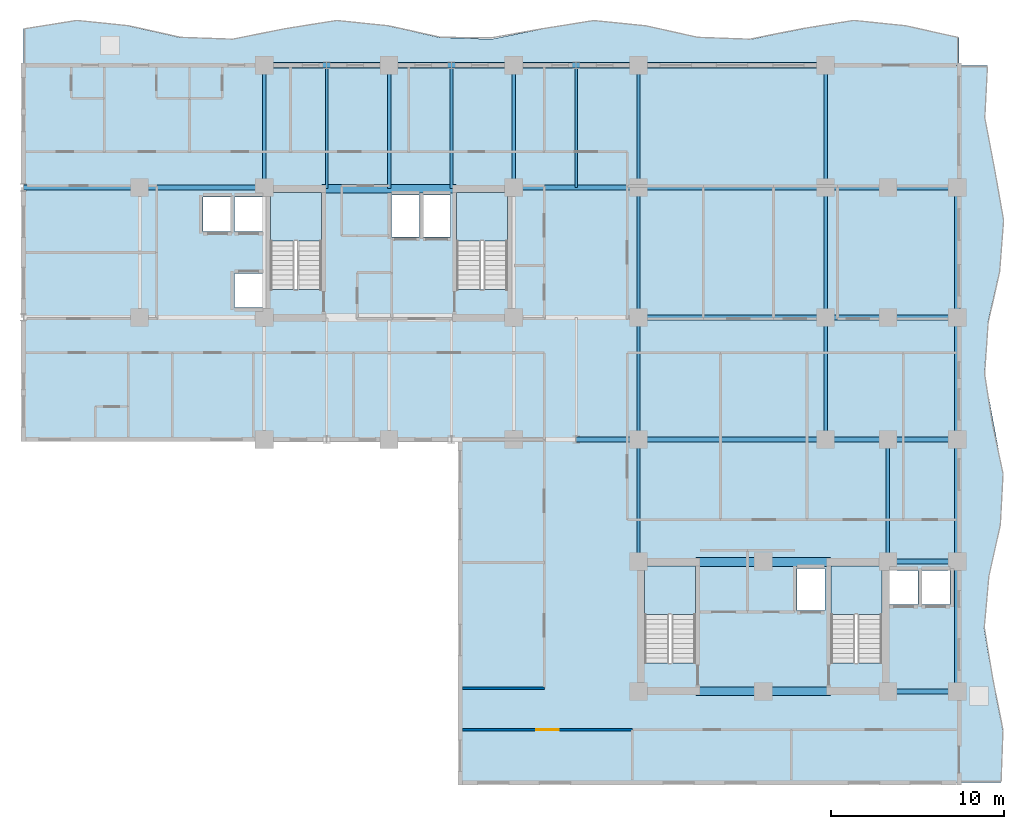
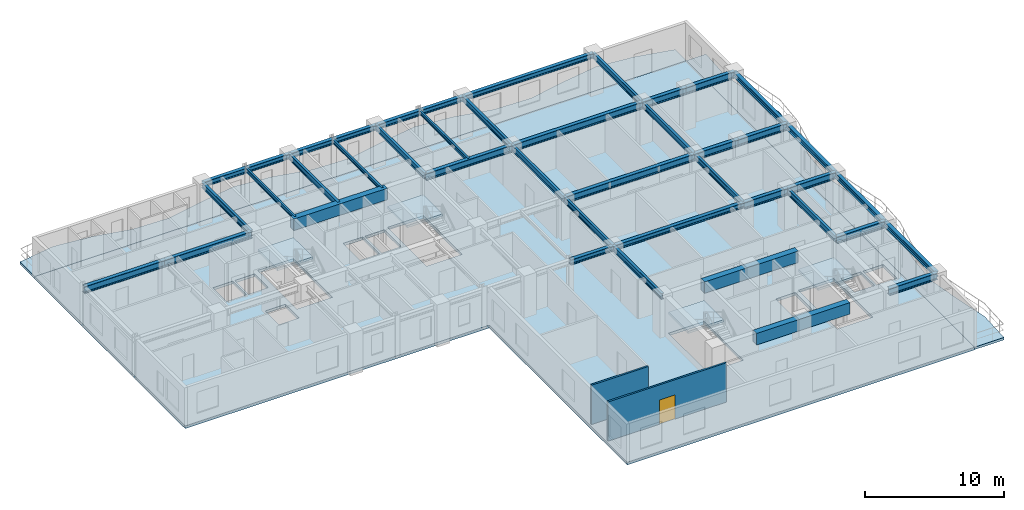
# One storey, part 3 of 13: 43 beams, 7 slabs, 2 walls, 1 door, 1 opening, 4 elements without a shape of their own.
"""IFC4 building model written with IfcOpenShell, lengths in metres."""

from ifc_helpers import new_model, si_unit, direction, frame, frame_2d, origin, origin_2d, place, context, subcontext, project, spatial, polyline, rectangle, i_section, outline, extrude, source, transform, mapped, material, layer, layer_set, material_profile, profile_set, type_object, element, fill, aggregate, save


model = new_model("IFC4")

# Units and contexts
model_context = context("Model", 3, precision=1e-05, world=origin(), true_north=direction((0.0, 1.0)))
body_context = subcontext(model_context, "Body", "Model", "MODEL_VIEW")
ifc_project = project(units=[si_unit("LENGTHUNIT", "METRE"), si_unit("AREAUNIT", "SQUARE_METRE"), si_unit("VOLUMEUNIT", "CUBIC_METRE"), si_unit("PLANEANGLEUNIT", "RADIAN"), si_unit("MASSUNIT", "GRAM", prefix="KILO")], contexts=[model_context])

# Site, building, storey
site_placement = place(None, origin())
site = spatial("IfcSite", under=ifc_project, at=site_placement, CompositionType="ELEMENT")
building_placement = place(site_placement, origin())
building = spatial("IfcBuilding", under=site, at=building_placement, Name="Kaliganga Portal Commons", CompositionType="ELEMENT")
storey_placement = place(building_placement, frame((0.0, 0.0, 162.39990234375)))
storey = spatial("IfcBuildingStorey", under=building, at=storey_placement, Name="L41", CompositionType="ELEMENT", Elevation=162.39990234375)

# Beams
ifc_material_1 = material(Name="Concrete C50/60", Category="concrete")
ifc_material_profile_1 = material_profile(ifc_material_1, rectangle(XDim=0.5, YDim=1.0, at=origin_2d()), Name="RC 500x1000")
ifc_profile_set_1 = profile_set([ifc_material_profile_1], Name="Concrete C50/60")
beam_type_1 = type_object("IfcBeamType", Name="BM-CPL-1000", PredefinedType="LINTEL", material=ifc_profile_set_1)
shared_shape_1 = source(origin(), body_context, "Body", "SweptSolid", [
    extrude(rectangle(XDim=0.5, YDim=1.0, at=origin_2d()), origin(), (0.0, 0.0, 1.0), 7.739990234375),
])
for number, where, z_axis, x_axis, name in (
    (1, (17.72998046875, 36.074951171875, 2.960205078125), (1.0, 0.0, 0.0), (0.0, 1.0, 0.0), "BM CPL COREA L41 N"),
    (2, (39.330078125, 7.074951171875, 2.960205078125), (1.0, 0.0, 0.0), (0.0, 1.0, 0.0), "BM CPL COREB L41 S"),
    (3, (39.330078125, 14.52490234375, 2.960205078125), (1.0, 0.0, 0.0), (0.0, 1.0, 0.0), "BM CPL COREB L41 N"),
):
    element("IfcBeam", number, at=place(storey_placement, frame(where, z_axis=z_axis, x_axis=x_axis)), inside=storey, type_object=beam_type_1, Name=name, PredefinedType="LINTEL", context=body_context, shape_type="MappedRepresentation", body=[
        mapped(shared_shape_1, transform((0.0, 0.0, 0.0), x_axis=(1.0, 0.0, 0.0), y_axis=(0.0, 1.0, 0.0), z_axis=(0.0, 0.0, 1.0), scale=1.0)),
    ])
ifc_material_2 = material(Name="Structural steel S355J2", Category="steel")
ifc_material_profile_2 = material_profile(ifc_material_2, i_section(OverallWidth=0.199951171875, OverallDepth=0.5, WebThickness=0.01025390625, FlangeThickness=0.01611328125, FilletRadius=0.02099609375, at=origin_2d()), Name="IPE 500")
ifc_profile_set_2 = profile_set([ifc_material_profile_2], Name="Structural steel S355J2 wide-flange")
beam_type_2 = type_object("IfcBeamType", Name="BM-FLR-500", PredefinedType="BEAM", material=ifc_profile_set_2)
shared_shape_2 = source(origin(), body_context, "Body", "SweptSolid", [
    extrude(i_section(OverallWidth=0.199951171875, OverallDepth=0.5, WebThickness=0.01025390625, FlangeThickness=0.01611328125, FilletRadius=0.02099609375, at=origin_2d()), origin(), (0.0, 0.0, 1.0), 7.5),
])
for number, where, z_axis, x_axis, name in (
    (4, (36.0, 28.64990234375, 3.210205078125), (0.0, 1.0, 0.0), (-1.0, 0.0, 0.0), "BM G L41 AM360"),
    (5, (46.800048828125, 28.64990234375, 3.210205078125), (0.0, 1.0, 0.0), (-1.0, 0.0, 0.0), "BM G L41 AM468"),
):
    element("IfcBeam", number, at=place(storey_placement, frame(where, z_axis=z_axis, x_axis=x_axis)), inside=storey, type_object=beam_type_2, Name=name, PredefinedType="BEAM", context=body_context, shape_type="MappedRepresentation", body=[
        mapped(shared_shape_2, transform((0.0, 0.0, 0.0), x_axis=(1.0, 0.0, 0.0), y_axis=(0.0, 1.0, 0.0), z_axis=(0.0, 0.0, 1.0), scale=1.0)),
    ])
shared_shape_3 = source(origin(), body_context, "Body", "SweptSolid", [
    extrude(i_section(OverallWidth=0.199951171875, OverallDepth=0.5, WebThickness=0.01025390625, FlangeThickness=0.01611328125, FilletRadius=0.02099609375, at=origin_2d()), origin(), (0.0, 0.0, 1.0), 7.050048828125),
])
for number, where, z_axis, x_axis, name in (
    (6, (14.39990234375, 36.14990234375, 3.210205078125), (0.0, 1.0, 0.0), (-1.0, 0.0, 0.0), "BM G L41 AN144"),
    (7, (28.800048828125, 36.14990234375, 3.210205078125), (0.0, 1.0, 0.0), (-1.0, 0.0, 0.0), "BM G L41 AN288"),
    (8, (36.0, 36.14990234375, 3.210205078125), (0.0, 1.0, 0.0), (-1.0, 0.0, 0.0), "BM G L41 AN360"),
    (9, (46.800048828125, 36.14990234375, 3.210205078125), (0.0, 1.0, 0.0), (-1.0, 0.0, 0.0), "BM G L41 AN468"),
    (10, (36.0, 14.550048828125, 3.210205078125), (0.0, 1.0, 0.0), (-1.0, 0.0, 0.0), "BM G L41 BNK360"),
    (11, (50.39990234375, 14.550048828125, 3.210205078125), (0.0, 1.0, 0.0), (-1.0, 0.0, 0.0), "BM G L41 BNK504"),
):
    element("IfcBeam", number, at=place(storey_placement, frame(where, z_axis=z_axis, x_axis=x_axis)), inside=storey, type_object=beam_type_2, Name=name, PredefinedType="BEAM", context=body_context, shape_type="MappedRepresentation", body=[
        mapped(shared_shape_3, transform((0.0, 0.0, 0.0), x_axis=(1.0, 0.0, 0.0), y_axis=(0.0, 1.0, 0.0), z_axis=(0.0, 0.0, 1.0), scale=1.0)),
    ])
shared_shape_4 = source(origin(), body_context, "Body", "SweptSolid", [
    extrude(i_section(OverallWidth=0.199951171875, OverallDepth=0.5, WebThickness=0.01025390625, FlangeThickness=0.01611328125, FilletRadius=0.02099609375, at=origin_2d()), origin(), (0.0, 0.0, 1.0), 7.0498046875),
])
for number, where, z_axis, x_axis, name in (
    (12, (36.0, 21.60009765625, 3.210205078125), (0.0, 1.0, 0.0), (-1.0, 0.0, 0.0), "BM G L41 AS360"),
    (13, (46.800048828125, 21.60009765625, 3.210205078125), (0.0, 1.0, 0.0), (-1.0, 0.0, 0.0), "BM G L41 AS468"),
):
    element("IfcBeam", number, at=place(storey_placement, frame(where, z_axis=z_axis, x_axis=x_axis)), inside=storey, type_object=beam_type_2, Name=name, PredefinedType="BEAM", context=body_context, shape_type="MappedRepresentation", body=[
        mapped(shared_shape_4, transform((0.0, 0.0, 0.0), x_axis=(1.0, 0.0, 0.0), y_axis=(0.0, 1.0, 0.0), z_axis=(0.0, 0.0, 1.0), scale=1.0)),
    ])
ifc_material_profile_3 = material_profile(ifc_material_2, i_section(OverallWidth=0.300048828125, OverallDepth=0.449951171875, WebThickness=0.013916015625, FlangeThickness=0.02587890625, FilletRadius=0.027099609375, at=origin_2d()), Name="HE 450 B")
ifc_profile_set_3 = profile_set([ifc_material_profile_3], Name="Structural steel S355J2 wide-flange")
beam_type_3 = type_object("IfcBeamType", Name="BM-SPAND-450", PredefinedType="SPANDREL", material=ifc_profile_set_3)
shared_shape_5 = source(origin(), body_context, "Body", "SweptSolid", [
    extrude(i_section(OverallWidth=0.300048828125, OverallDepth=0.449951171875, WebThickness=0.013916015625, FlangeThickness=0.02587890625, FilletRadius=0.027099609375, at=origin_2d()), origin(), (0.0, 0.0, 1.0), 3.60009765625),
])
for number, where, z_axis, x_axis, name in (
    (14, (14.39990234375, 43.199951171875, 3.235107421875), (1.0, 0.0, 0.0), (0.0, 1.0, 0.0), "BM SP L41 AN 1"),
    (15, (18.0, 43.199951171875, 3.235107421875), (1.0, 0.0, 0.0), (0.0, 1.0, 0.0), "BM SP L41 AN 2"),
    (16, (25.199951171875, 43.199951171875, 3.235107421875), (1.0, 0.0, 0.0), (0.0, 1.0, 0.0), "BM SP L41 AN 4"),
    (17, (32.39990234375, 43.199951171875, 3.235107421875), (1.0, 0.0, 0.0), (0.0, 1.0, 0.0), "BM SP L41 AN 6"),
    (18, (32.39990234375, 21.60009765625, 3.235107421875), (1.0, 0.0, 0.0), (0.0, 1.0, 0.0), "BM SP L41 AS 6"),
):
    element("IfcBeam", number, at=place(storey_placement, frame(where, z_axis=z_axis, x_axis=x_axis)), inside=storey, type_object=beam_type_3, Name=name, PredefinedType="SPANDREL", context=body_context, shape_type="MappedRepresentation", body=[
        mapped(shared_shape_5, transform((0.0, 0.0, 0.0), x_axis=(1.0, 0.0, 0.0), y_axis=(0.0, 1.0, 0.0), z_axis=(0.0, 0.0, 1.0), scale=1.0)),
    ])
shared_shape_6 = source(origin(), body_context, "Body", "SweptSolid", [
    extrude(i_section(OverallWidth=0.300048828125, OverallDepth=0.449951171875, WebThickness=0.013916015625, FlangeThickness=0.02587890625, FilletRadius=0.027099609375, at=origin_2d()), origin(), (0.0, 0.0, 1.0), 3.599853515625),
])
for number, where, z_axis, x_axis, name in (
    (19, (21.60009765625, 43.199951171875, 3.235107421875), (1.0, 0.0, 0.0), (0.0, 1.0, 0.0), "BM SP L41 AN 3"),
    (20, (28.800048828125, 43.199951171875, 3.235107421875), (1.0, 0.0, 0.0), (0.0, 1.0, 0.0), "BM SP L41 AN 5"),
):
    element("IfcBeam", number, at=place(storey_placement, frame(where, z_axis=z_axis, x_axis=x_axis)), inside=storey, type_object=beam_type_3, Name=name, PredefinedType="SPANDREL", context=body_context, shape_type="MappedRepresentation", body=[
        mapped(shared_shape_6, transform((0.0, 0.0, 0.0), x_axis=(1.0, 0.0, 0.0), y_axis=(0.0, 1.0, 0.0), z_axis=(0.0, 0.0, 1.0), scale=1.0)),
    ])
shared_shape_7 = source(origin(), body_context, "Body", "SweptSolid", [
    extrude(i_section(OverallWidth=0.300048828125, OverallDepth=0.449951171875, WebThickness=0.013916015625, FlangeThickness=0.02587890625, FilletRadius=0.027099609375, at=origin_2d()), origin(), (0.0, 0.0, 1.0), 10.800048828125),
])
for number, where, z_axis, x_axis, name in (
    (21, (36.0, 43.199951171875, 3.235107421875), (1.0, 0.0, 0.0), (0.0, 1.0, 0.0), "BM SP L41 AN 7"),
    (22, (36.0, 21.60009765625, 3.235107421875), (1.0, 0.0, 0.0), (0.0, 1.0, 0.0), "BM SP L41 AS 7"),
):
    element("IfcBeam", number, at=place(storey_placement, frame(where, z_axis=z_axis, x_axis=x_axis)), inside=storey, type_object=beam_type_3, Name=name, PredefinedType="SPANDREL", context=body_context, shape_type="MappedRepresentation", body=[
        mapped(shared_shape_7, transform((0.0, 0.0, 0.0), x_axis=(1.0, 0.0, 0.0), y_axis=(0.0, 1.0, 0.0), z_axis=(0.0, 0.0, 1.0), scale=1.0)),
    ])
ifc_material_profile_4 = material_profile(ifc_material_2, i_section(OverallWidth=0.159912109375, OverallDepth=0.330078125, WebThickness=0.007568359375, FlangeThickness=0.011474609375, FilletRadius=0.01806640625, at=origin_2d()), Name="IPE 330")
ifc_profile_set_4 = profile_set([ifc_material_profile_4], Name="Structural steel S355J2 wide-flange")
beam_type_4 = type_object("IfcBeamType", Name="BM-JST-330", PredefinedType="JOIST", material=ifc_profile_set_4)
shared_shape_8 = source(origin(), body_context, "Body", "SweptSolid", [
    extrude(i_section(OverallWidth=0.159912109375, OverallDepth=0.330078125, WebThickness=0.007568359375, FlangeThickness=0.011474609375, FilletRadius=0.01806640625, at=origin_2d()), origin(), (0.0, 0.0, 1.0), 7.050048828125),
])
beam_1_placement = place(storey_placement, frame((32.39990234375, 36.14990234375, 3.295166015625), z_axis=(0.0, 1.0, 0.0), x_axis=(-1.0, 0.0, 0.0)))
element("IfcBeam", 23, at=beam_1_placement, inside=storey, type_object=beam_type_4, Name="BM G L41 AN324", PredefinedType="JOIST", context=body_context, shape_type="MappedRepresentation", body=[
    mapped(shared_shape_8, transform((0.0, 0.0, 0.0), x_axis=(1.0, 0.0, 0.0), y_axis=(0.0, 1.0, 0.0), z_axis=(0.0, 0.0, 1.0), scale=1.0)),
])
shared_shape_9 = source(origin(), body_context, "Body", "SweptSolid", [
    extrude(i_section(OverallWidth=0.300048828125, OverallDepth=0.449951171875, WebThickness=0.013916015625, FlangeThickness=0.02587890625, FilletRadius=0.027099609375, at=origin_2d()), origin(), (0.0, 0.0, 1.0), 7.5),
])
for number, where, z_axis, x_axis, name in (
    (24, (54.39990234375, 7.050048828125, 3.235107421875), (0.0, 1.0, 0.0), (-1.0, 0.0, 0.0), "BM SP L41 BE 1"),
    (25, (54.39990234375, 28.64990234375, 3.235107421875), (0.0, 1.0, 0.0), (-1.0, 0.0, 0.0), "BM SP L41 BE 4"),
):
    element("IfcBeam", number, at=place(storey_placement, frame(where, z_axis=z_axis, x_axis=x_axis)), inside=storey, type_object=beam_type_3, Name=name, PredefinedType="SPANDREL", context=body_context, shape_type="MappedRepresentation", body=[
        mapped(shared_shape_9, transform((0.0, 0.0, 0.0), x_axis=(1.0, 0.0, 0.0), y_axis=(0.0, 1.0, 0.0), z_axis=(0.0, 0.0, 1.0), scale=1.0)),
    ])
shared_shape_10 = source(origin(), body_context, "Body", "SweptSolid", [
    extrude(i_section(OverallWidth=0.300048828125, OverallDepth=0.449951171875, WebThickness=0.013916015625, FlangeThickness=0.02587890625, FilletRadius=0.027099609375, at=origin_2d()), origin(), (0.0, 0.0, 1.0), 7.050048828125),
])
beam_2_placement = place(storey_placement, frame((54.39990234375, 14.550048828125, 3.235107421875), z_axis=(0.0, 1.0, 0.0), x_axis=(-1.0, 0.0, 0.0)))
element("IfcBeam", 26, at=beam_2_placement, inside=storey, type_object=beam_type_3, Name="BM SP L41 BE 2", PredefinedType="SPANDREL", context=body_context, shape_type="MappedRepresentation", body=[
    mapped(shared_shape_10, transform((0.0, 0.0, 0.0), x_axis=(1.0, 0.0, 0.0), y_axis=(0.0, 1.0, 0.0), z_axis=(0.0, 0.0, 1.0), scale=1.0)),
])
shared_shape_11 = source(origin(), body_context, "Body", "SweptSolid", [
    extrude(i_section(OverallWidth=0.300048828125, OverallDepth=0.449951171875, WebThickness=0.013916015625, FlangeThickness=0.02587890625, FilletRadius=0.027099609375, at=origin_2d()), origin(), (0.0, 0.0, 1.0), 7.0498046875),
])
beam_3_placement = place(storey_placement, frame((54.39990234375, 21.60009765625, 3.235107421875), z_axis=(0.0, 1.0, 0.0), x_axis=(-1.0, 0.0, 0.0)))
element("IfcBeam", 27, at=beam_3_placement, inside=storey, type_object=beam_type_3, Name="BM SP L41 BE 3", PredefinedType="SPANDREL", context=body_context, shape_type="MappedRepresentation", body=[
    mapped(shared_shape_11, transform((0.0, 0.0, 0.0), x_axis=(1.0, 0.0, 0.0), y_axis=(0.0, 1.0, 0.0), z_axis=(0.0, 0.0, 1.0), scale=1.0)),
])
ifc_material_profile_5 = material_profile(ifc_material_2, i_section(OverallWidth=0.300048828125, OverallDepth=0.60009765625, WebThickness=0.015380859375, FlangeThickness=0.030029296875, FilletRadius=0.027099609375, at=origin_2d()), Name="HE 600 B")
ifc_profile_set_5 = profile_set([ifc_material_profile_5], Name="Structural steel S355J2 wide-flange")
beam_type_5 = type_object("IfcBeamType", Name="BM-GIRD-600", PredefinedType="USERDEFINED", material=ifc_profile_set_5)
shared_shape_12 = source(origin(), body_context, "Body", "SweptSolid", [
    extrude(i_section(OverallWidth=0.300048828125, OverallDepth=0.60009765625, WebThickness=0.015380859375, FlangeThickness=0.030029296875, FilletRadius=0.027099609375, at=origin_2d()), origin(), (0.0, 0.0, 1.0), 6.699951171875),
])
beam_4_placement = place(storey_placement, frame((0.5, 36.14990234375, 3.16015625), z_axis=(1.0, 0.0, 0.0), x_axis=(0.0, 1.0, 0.0)))
element("IfcBeam", 28, at=beam_4_placement, inside=storey, type_object=beam_type_5, Name="BM G L41 WAH_N 1", ObjectType="GIRDER", PredefinedType="USERDEFINED", context=body_context, shape_type="MappedRepresentation", body=[
    mapped(shared_shape_12, transform((0.0, 0.0, 0.0), x_axis=(1.0, 0.0, 0.0), y_axis=(0.0, 1.0, 0.0), z_axis=(0.0, 0.0, 1.0), scale=1.0)),
])
shared_shape_13 = source(origin(), body_context, "Body", "SweptSolid", [
    extrude(i_section(OverallWidth=0.300048828125, OverallDepth=0.60009765625, WebThickness=0.015380859375, FlangeThickness=0.030029296875, FilletRadius=0.027099609375, at=origin_2d()), origin(), (0.0, 0.0, 1.0), 7.199951171875),
])
for number, where, z_axis, x_axis, name in (
    (29, (7.199951171875, 36.14990234375, 3.16015625), (1.0, 0.0, 0.0), (0.0, 1.0, 0.0), "BM G L41 WAH_N 2"),
    (30, (28.800048828125, 36.14990234375, 3.16015625), (1.0, 0.0, 0.0), (0.0, 1.0, 0.0), "BM G L41 WAE_N 1"),
):
    element("IfcBeam", number, at=place(storey_placement, frame(where, z_axis=z_axis, x_axis=x_axis)), inside=storey, type_object=beam_type_5, Name=name, ObjectType="GIRDER", PredefinedType="USERDEFINED", context=body_context, shape_type="MappedRepresentation", body=[
        mapped(shared_shape_13, transform((0.0, 0.0, 0.0), x_axis=(1.0, 0.0, 0.0), y_axis=(0.0, 1.0, 0.0), z_axis=(0.0, 0.0, 1.0), scale=1.0)),
    ])
shared_shape_14 = source(origin(), body_context, "Body", "SweptSolid", [
    extrude(i_section(OverallWidth=0.300048828125, OverallDepth=0.60009765625, WebThickness=0.015380859375, FlangeThickness=0.030029296875, FilletRadius=0.027099609375, at=origin_2d()), origin(), (0.0, 0.0, 1.0), 10.800048828125),
])
for number, where, z_axis, x_axis, name in (
    (31, (36.0, 28.64990234375, 3.16015625), (1.0, 0.0, 0.0), (0.0, 1.0, 0.0), "BM G L41 WAE_S 2"),
    (32, (36.0, 36.14990234375, 3.16015625), (1.0, 0.0, 0.0), (0.0, 1.0, 0.0), "BM G L41 WAE_N 2"),
):
    element("IfcBeam", number, at=place(storey_placement, frame(where, z_axis=z_axis, x_axis=x_axis)), inside=storey, type_object=beam_type_5, Name=name, ObjectType="GIRDER", PredefinedType="USERDEFINED", context=body_context, shape_type="MappedRepresentation", body=[
        mapped(shared_shape_14, transform((0.0, 0.0, 0.0), x_axis=(1.0, 0.0, 0.0), y_axis=(0.0, 1.0, 0.0), z_axis=(0.0, 0.0, 1.0), scale=1.0)),
    ])
shared_shape_15 = source(origin(), body_context, "Body", "SweptSolid", [
    extrude(i_section(OverallWidth=0.159912109375, OverallDepth=0.330078125, WebThickness=0.007568359375, FlangeThickness=0.011474609375, FilletRadius=0.01806640625, at=origin_2d()), origin(), (0.0, 0.0, 1.0), 7.125),
])
for number, where, z_axis, x_axis, name in (
    (33, (18.0, 36.074951171875, 3.295166015625), (0.0, 1.0, 0.0), (-1.0, 0.0, 0.0), "BM G L41 AN180"),
    (34, (25.199951171875, 36.074951171875, 3.295166015625), (0.0, 1.0, 0.0), (-1.0, 0.0, 0.0), "BM G L41 AN252"),
):
    element("IfcBeam", number, at=place(storey_placement, frame(where, z_axis=z_axis, x_axis=x_axis)), inside=storey, type_object=beam_type_4, Name=name, PredefinedType="JOIST", context=body_context, shape_type="MappedRepresentation", body=[
        mapped(shared_shape_15, transform((0.0, 0.0, 0.0), x_axis=(1.0, 0.0, 0.0), y_axis=(0.0, 1.0, 0.0), z_axis=(0.0, 0.0, 1.0), scale=1.0)),
    ])
shared_shape_16 = source(origin(), body_context, "Body", "SweptSolid", [
    extrude(i_section(OverallWidth=0.199951171875, OverallDepth=0.5, WebThickness=0.01025390625, FlangeThickness=0.01611328125, FilletRadius=0.02099609375, at=origin_2d()), origin(), (0.0, 0.0, 1.0), 7.125),
])
beam_5_placement = place(storey_placement, frame((21.60009765625, 36.074951171875, 3.210205078125), z_axis=(0.0, 1.0, 0.0), x_axis=(-1.0, 0.0, 0.0)))
element("IfcBeam", 35, at=beam_5_placement, inside=storey, type_object=beam_type_2, Name="BM G L41 AN216", PredefinedType="BEAM", context=body_context, shape_type="MappedRepresentation", body=[
    mapped(shared_shape_16, transform((0.0, 0.0, 0.0), x_axis=(1.0, 0.0, 0.0), y_axis=(0.0, 1.0, 0.0), z_axis=(0.0, 0.0, 1.0), scale=1.0)),
])
shared_shape_17 = source(origin(), body_context, "Body", "SweptSolid", [
    extrude(i_section(OverallWidth=0.300048828125, OverallDepth=0.60009765625, WebThickness=0.015380859375, FlangeThickness=0.030029296875, FilletRadius=0.027099609375, at=origin_2d()), origin(), (0.0, 0.0, 1.0), 4.0),
])
for number, where, z_axis, x_axis, name in (
    (36, (50.39990234375, 7.050048828125, 3.16015625), (1.0, 0.0, 0.0), (0.0, 1.0, 0.0), "BM G L41 BKE70 1"),
    (37, (50.39990234375, 14.550048828125, 3.16015625), (1.0, 0.0, 0.0), (0.0, 1.0, 0.0), "BM G L41 BKE146 1"),
    (38, (50.39990234375, 21.60009765625, 3.16015625), (1.0, 0.0, 0.0), (0.0, 1.0, 0.0), "BM G L41 BKE216 2"),
    (39, (50.39990234375, 28.64990234375, 3.16015625), (1.0, 0.0, 0.0), (0.0, 1.0, 0.0), "BM G L41 BKE286 2"),
    (40, (50.39990234375, 36.14990234375, 3.16015625), (1.0, 0.0, 0.0), (0.0, 1.0, 0.0), "BM G L41 BKE362 2"),
):
    element("IfcBeam", number, at=place(storey_placement, frame(where, z_axis=z_axis, x_axis=x_axis)), inside=storey, type_object=beam_type_5, Name=name, ObjectType="GIRDER", PredefinedType="USERDEFINED", context=body_context, shape_type="MappedRepresentation", body=[
        mapped(shared_shape_17, transform((0.0, 0.0, 0.0), x_axis=(1.0, 0.0, 0.0), y_axis=(0.0, 1.0, 0.0), z_axis=(0.0, 0.0, 1.0), scale=1.0)),
    ])
shared_shape_18 = source(origin(), body_context, "Body", "SweptSolid", [
    extrude(i_section(OverallWidth=0.300048828125, OverallDepth=0.60009765625, WebThickness=0.015380859375, FlangeThickness=0.030029296875, FilletRadius=0.027099609375, at=origin_2d()), origin(), (0.0, 0.0, 1.0), 3.599853515625),
])
for number, where, z_axis, x_axis, name in (
    (41, (46.800048828125, 21.60009765625, 3.16015625), (1.0, 0.0, 0.0), (0.0, 1.0, 0.0), "BM G L41 BKE216 1"),
    (42, (46.800048828125, 28.64990234375, 3.16015625), (1.0, 0.0, 0.0), (0.0, 1.0, 0.0), "BM G L41 BKE286 1"),
    (43, (46.800048828125, 36.14990234375, 3.16015625), (1.0, 0.0, 0.0), (0.0, 1.0, 0.0), "BM G L41 BKE362 1"),
):
    element("IfcBeam", number, at=place(storey_placement, frame(where, z_axis=z_axis, x_axis=x_axis)), inside=storey, type_object=beam_type_5, Name=name, ObjectType="GIRDER", PredefinedType="USERDEFINED", context=body_context, shape_type="MappedRepresentation", body=[
        mapped(shared_shape_18, transform((0.0, 0.0, 0.0), x_axis=(1.0, 0.0, 0.0), y_axis=(0.0, 1.0, 0.0), z_axis=(0.0, 0.0, 1.0), scale=1.0)),
    ])

# Slabs
ifc_material_3 = material(Name="Concrete C40/50", Category="concrete")
ifc_layer_1 = layer(ifc_material_3, 0.2099609375)
ifc_layer_set_1 = layer_set([ifc_layer_1], Name="Concrete C40/50")
slab_type_1 = type_object("IfcSlabType", Name="SLB-BALC-210", PredefinedType="FLOOR", material=ifc_layer_set_1)
slab_1_placement = place(storey_placement, frame((0.0, 0.0, -0.2099609375)))
element("IfcSlab", 44, at=slab_1_placement, inside=storey, type_object=slab_type_1, Name="Scalloped Tree-Planter Balcony Slab L41 balc_north", PredefinedType="FLOOR", context=body_context, shape_type="SweptSolid", body=[
    extrude(outline(polyline([(54.5, 43.199951171875), (54.5, 44.8125), (51.5, 45.484130859375), (48.5, 45.79296875), (45.5, 45.31201171875), (42.5, 44.7060546875), (39.5, 44.8125), (36.5, 45.484130859375), (33.5, 45.79296875), (30.5, 45.31201171875), (27.5, 44.7060546875), (24.5, 44.8125), (21.5, 45.484130859375), (18.5, 45.79296875), (15.5, 45.31201171875), (12.5, 44.7060546875), (9.5, 44.8125), (6.5, 45.484130859375), (3.5, 45.79296875), (0.5, 45.31201171875), (0.5, 43.199951171875), (54.5, 43.199951171875)])), origin(), (0.0, 0.0, 1.0), 0.2099609375),
])
slab_2_placement = place(storey_placement, frame((0.0, 0.0, -0.2099609375)))
element("IfcSlab", 45, at=slab_2_placement, inside=storey, type_object=slab_type_1, Name="Scalloped Tree-Planter Balcony Slab L41 balc_east", PredefinedType="FLOOR", context=body_context, shape_type="SweptSolid", body=[
    extrude(outline(polyline([(54.5, 1.800048828125), (56.930419921875, 1.800048828125), (57.04150390625, 4.757080078125), (56.451416015625, 7.71435546875), (55.955810546875, 10.67138671875), (56.222412109375, 13.628662109375), (56.89208984375, 16.585693359375), (57.062255859375, 19.54296875), (56.50341796875, 22.5), (55.968994140625, 25.45703125), (56.17919921875, 28.414306640625), (56.850830078125, 31.371337890625), (57.07861328125, 34.32861328125), (56.55517578125, 37.28564453125), (55.986328125, 40.242919921875), (56.138916015625, 43.199951171875), (54.5, 43.199951171875), (54.5, 1.800048828125)])), origin(), (0.0, 0.0, 1.0), 0.2099609375),
])

# Stair, slab
stair_type = type_object("IfcStairType", Name="ST-CORE-DOGLEG", PredefinedType="HALF_TURN_STAIR", material=ifc_material_3)
stair_1_placement = place(storey_placement, origin())
stair_1 = element("IfcStair", 46, at=stair_1_placement, inside=storey, type_object=stair_type, Name="L41 Protected Exit Stair ST-A1", PredefinedType="HALF_TURN_STAIR")
ifc_layer_2 = layer(ifc_material_3, 0.199951171875)
ifc_layer_set_2 = layer_set([ifc_layer_2], Name="Concrete C40/50")
slab_type_2 = type_object("IfcSlabType", Name="SLB-STAIR-LND", PredefinedType="LANDING", material=ifc_layer_set_2)
slab_3_placement = place(storey_placement, frame((0.0, 0.0, 1.650146484375)))
slab_3 = element("IfcSlab", 47, at=slab_3_placement, type_object=slab_type_2, Name="ST-A1 landing 1", PredefinedType="LANDING", context=body_context, shape_type="SweptSolid", body=[
    extrude(outline(polyline([(17.699951171875, 33.050048828125), (17.699951171875, 35.85009765625), (14.75, 35.85009765625), (14.75, 33.050048828125), (17.699951171875, 33.050048828125)])), origin(), (0.0, 0.0, 1.0), 0.199951171875),
])
aggregate(stair_1, [slab_3])

stair_2_placement = place(storey_placement, origin())
stair_2 = element("IfcStair", 48, at=stair_2_placement, inside=storey, type_object=stair_type, Name="L41 Protected Exit Stair ST-A2", PredefinedType="HALF_TURN_STAIR")
slab_4_placement = place(storey_placement, frame((0.0, 0.0, 1.650146484375)))
slab_4 = element("IfcSlab", 49, at=slab_4_placement, type_object=slab_type_2, Name="ST-A2 landing 1", PredefinedType="LANDING", context=body_context, shape_type="SweptSolid", body=[
    extrude(outline(polyline([(28.449951171875, 33.050048828125), (28.449951171875, 35.85009765625), (25.5, 35.85009765625), (25.5, 33.050048828125), (28.449951171875, 33.050048828125)])), origin(), (0.0, 0.0, 1.0), 0.199951171875),
])
aggregate(stair_2, [slab_4])

stair_3_placement = place(storey_placement, origin())
stair_3 = element("IfcStair", 50, at=stair_3_placement, inside=storey, type_object=stair_type, Name="L41 Protected Exit Stair ST-B1", PredefinedType="HALF_TURN_STAIR")
slab_5_placement = place(storey_placement, frame((0.0, 0.0, 1.650146484375)))
slab_5 = element("IfcSlab", 51, at=slab_5_placement, type_object=slab_type_2, Name="ST-B1 landing 1", PredefinedType="LANDING", context=body_context, shape_type="SweptSolid", body=[
    extrude(outline(polyline([(39.300048828125, 11.5), (39.300048828125, 14.300048828125), (36.35009765625, 14.300048828125), (36.35009765625, 11.5), (39.300048828125, 11.5)])), origin(), (0.0, 0.0, 1.0), 0.199951171875),
])
aggregate(stair_3, [slab_5])

stair_4_placement = place(storey_placement, origin())
stair_4 = element("IfcStair", 52, at=stair_4_placement, inside=storey, type_object=stair_type, Name="L41 Protected Exit Stair ST-B2", PredefinedType="HALF_TURN_STAIR")
slab_6_placement = place(storey_placement, frame((0.0, 0.0, 1.650146484375)))
slab_6 = element("IfcSlab", 53, at=slab_6_placement, type_object=slab_type_2, Name="ST-B2 landing 1", PredefinedType="LANDING", context=body_context, shape_type="SweptSolid", body=[
    extrude(outline(polyline([(50.050048828125, 11.5), (50.050048828125, 14.300048828125), (47.10009765625, 14.300048828125), (47.10009765625, 11.5), (50.050048828125, 11.5)])), origin(), (0.0, 0.0, 1.0), 0.199951171875),
])
aggregate(stair_4, [slab_6])

# Slab
ifc_layer_3 = layer(ifc_material_3, 0.239990234375)
ifc_layer_set_3 = layer_set([ifc_layer_3], Name="Concrete C40/50")
slab_type_3 = type_object("IfcSlabType", Name="SLB-TWR-240", PredefinedType="FLOOR", material=ifc_layer_set_3)
slab_7_placement = place(storey_placement, frame((0.0, 0.0, -0.239990234375)))
element("IfcSlab", 54, at=slab_7_placement, inside=storey, type_object=slab_type_3, Name="Structural Floor Slab L41", PredefinedType="FLOOR", context=body_context, shape_type="SweptSolid", body=[
    extrude(outline(polyline([(25.699951171875, 1.800048828125), (54.5, 1.800048828125), (54.5, 43.199951171875), (0.5, 43.199951171875), (0.5, 21.60009765625), (25.699951171875, 21.60009765625), (25.699951171875, 1.800048828125)]), holes=[polyline([(14.75, 30.25390625), (14.75, 35.85009765625), (17.699951171875, 35.85009765625), (17.699951171875, 30.25390625), (14.75, 30.25390625)]), polyline([(25.5, 30.25390625), (25.5, 35.85009765625), (28.449951171875, 35.85009765625), (28.449951171875, 30.25390625), (25.5, 30.25390625)]), polyline([(36.35009765625, 8.7041015625), (36.35009765625, 14.300048828125), (39.300048828125, 14.300048828125), (39.300048828125, 8.7041015625), (36.35009765625, 8.7041015625)]), polyline([(47.10009765625, 8.7041015625), (47.10009765625, 14.300048828125), (50.050048828125, 14.300048828125), (50.050048828125, 8.7041015625), (47.10009765625, 8.7041015625)]), polyline([(12.6650390625, 33.614990234375), (12.6650390625, 35.5849609375), (14.3349609375, 35.5849609375), (14.3349609375, 33.614990234375), (12.6650390625, 33.614990234375)]), polyline([(12.6650390625, 29.215087890625), (12.6650390625, 31.18505859375), (14.3349609375, 31.18505859375), (14.3349609375, 29.215087890625), (12.6650390625, 29.215087890625)]), polyline([(10.864990234375, 33.614990234375), (10.864990234375, 35.5849609375), (12.534912109375, 35.5849609375), (12.534912109375, 33.614990234375), (10.864990234375, 33.614990234375)]), polyline([(21.739990234375, 33.2900390625), (21.739990234375, 35.7099609375), (23.360107421875, 35.7099609375), (23.360107421875, 33.2900390625), (21.739990234375, 33.2900390625)]), polyline([(23.5400390625, 33.2900390625), (23.5400390625, 35.7099609375), (25.159912109375, 35.7099609375), (25.159912109375, 33.2900390625), (23.5400390625, 33.2900390625)]), polyline([(50.465087890625, 12.06494140625), (50.465087890625, 14.034912109375), (52.135009765625, 14.034912109375), (52.135009765625, 12.06494140625), (50.465087890625, 12.06494140625)]), polyline([(52.31494140625, 12.06494140625), (52.31494140625, 14.034912109375), (53.985107421875, 14.034912109375), (53.985107421875, 12.06494140625), (52.31494140625, 12.06494140625)]), polyline([(45.139892578125, 11.739990234375), (45.139892578125, 14.159912109375), (46.760009765625, 14.159912109375), (46.760009765625, 11.739990234375), (45.139892578125, 11.739990234375)])]), origin(), (0.0, 0.0, 1.0), 0.239990234375),
])

# Wall, opening, door
ifc_material_4 = material(Name="Fire-Rated Gypsum Board on Steel Stud", Category="steel")
ifc_layer_4 = layer(ifc_material_4, 0.14990234375)
ifc_layer_set_4 = layer_set([ifc_layer_4], Name="Fire-Rated Gypsum Board on Steel Stud")
wall_type = type_object("IfcWallType", Name="WL-PART-CORR-150", PredefinedType="PARTITIONING", material=ifc_layer_set_4)
wall_1_placement = place(storey_placement, frame((25.83203125, 4.840087890625, 0.0), z_axis=(0.0, 0.0, 1.0), x_axis=(1.0, 0.0, 0.0)))
wall_1 = element("IfcWall", 55, at=wall_1_placement, inside=storey, type_object=wall_type, Name="Interior Partition L41-013", PredefinedType="PARTITIONING", context=body_context, shape_type="SweptSolid", body=[
    extrude(rectangle(XDim=9.807861328125, YDim=0.14990234375, at=frame_2d((4.90380859375, 0.0))), origin(), (0.0, 0.0, 1.0), 3.440185546875),
])
opening_placement = place(wall_1_placement, frame((4.25390625, 0.0, 0.0)))
opening = element("IfcOpeningElement", 56, at=opening_placement, cuts=wall_1, Name="Opening RD-03", PredefinedType="OPENING", context=body_context, shape_type="SweptSolid", body=[
    extrude(rectangle(XDim=1.300048828125, YDim=2.1201171875, at=frame_2d((0.64990234375, 1.06005859375))), frame((0.0, 0.0849609375, 0.0), z_axis=(0.0, -1.0, 0.0), x_axis=(1.0, 0.0, 0.0)), (0.0, 0.0, 1.0), 0.169921875),
])
ifc_material_5 = material(Name="Glazed Timber Seminar Vision Door", Category="wood")
door_type = type_object("IfcDoorType", Name="DR-STUDY-1300", OperationType="DOUBLE_DOOR_SINGLE_SWING", PredefinedType="DOOR", material=ifc_material_5)
door_placement = place(opening_placement, origin())
door = element("IfcDoor", 57, at=door_placement, inside=storey, type_object=door_type, Name="Interior Door L41-BS01", OperationType="DOUBLE_DOOR_SINGLE_SWING", OverallHeight=2.1201171875, OverallWidth=1.300048828125, PredefinedType="DOOR", context=body_context, shape_type="SweptSolid", body=[
    extrude(rectangle(XDim=1.300048828125, YDim=2.1201171875, at=frame_2d((0.64990234375, 1.06005859375))), frame((0.0, 0.02490234375, 0.0), z_axis=(0.0, -1.0, 0.0), x_axis=(1.0, 0.0, 0.0)), (0.0, 0.0, 1.0), 0.050048828125),
])
fill(opening, door)

# Wall
wall_2_placement = place(storey_placement, frame((25.83203125, 7.239990234375, 0.0), z_axis=(0.0, 0.0, 1.0), x_axis=(1.0, 0.0, 0.0)))
element("IfcWall", 58, at=wall_2_placement, inside=storey, type_object=wall_type, Name="Interior Partition L41-039", PredefinedType="PARTITIONING", context=body_context, shape_type="SweptSolid", body=[
    extrude(rectangle(XDim=4.72802734375, YDim=0.14990234375, at=frame_2d((2.364013671875, 0.0))), origin(), (0.0, 0.0, 1.0), 3.440185546875),
])

save(model, "model.ifc")
